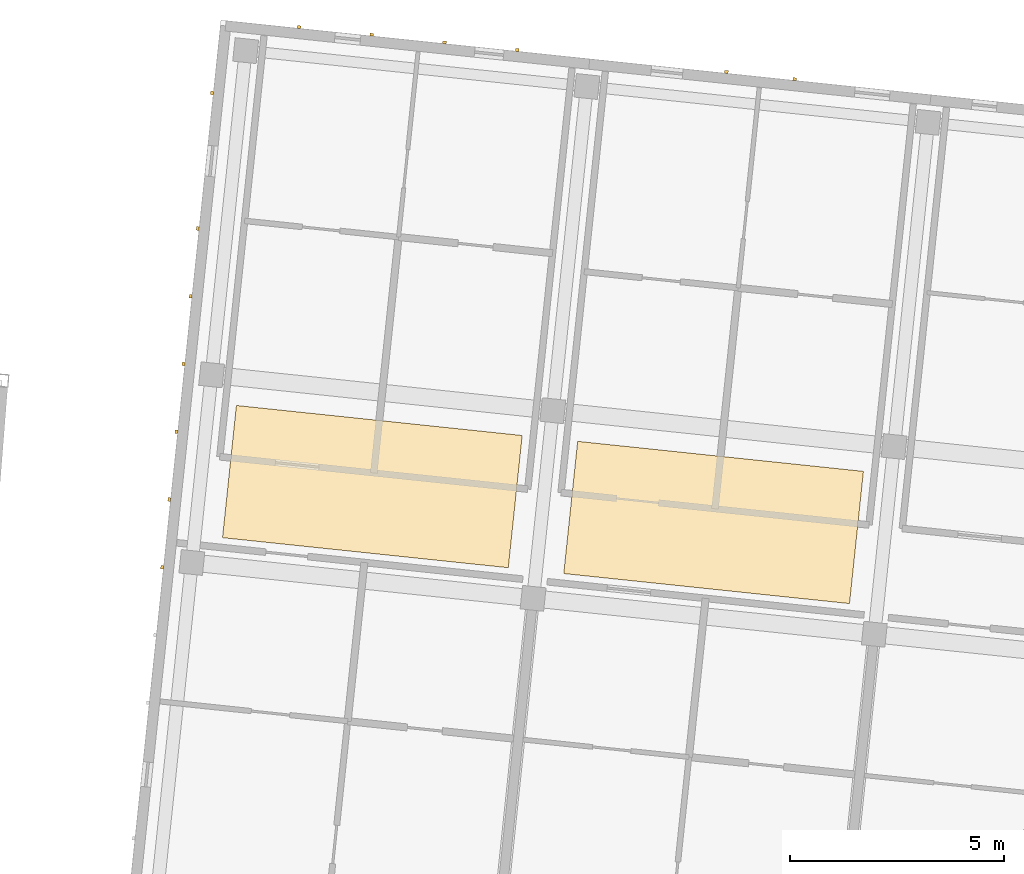
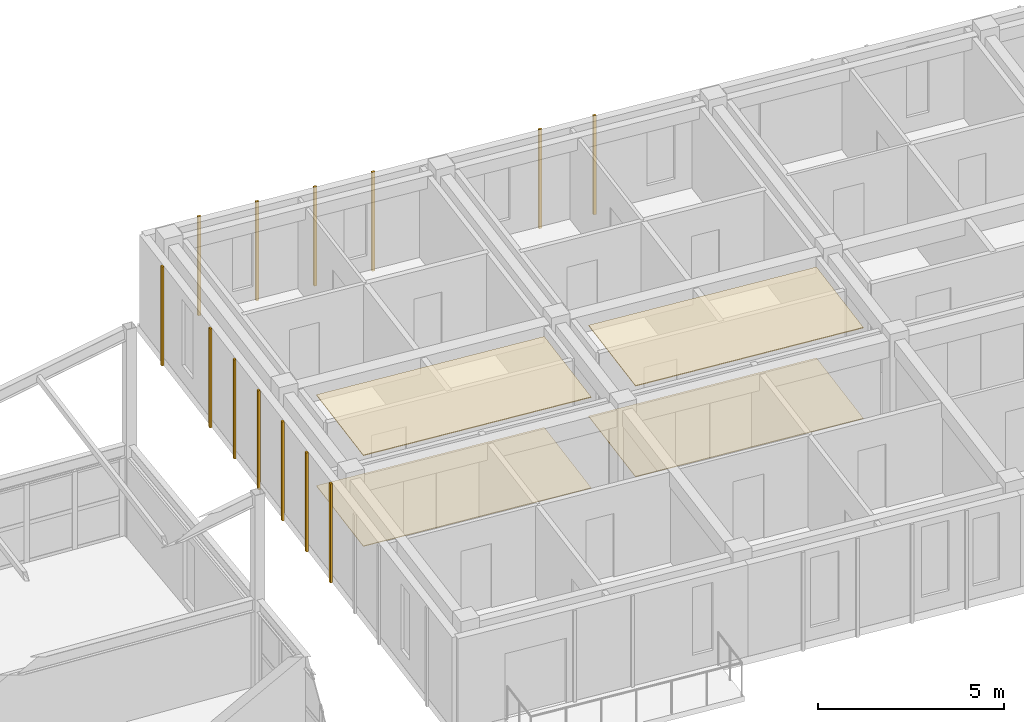
# One storey, part 117 of 127: 17 coverings.
"""IFC4 building model written with IfcOpenShell, lengths in metres."""

import ifcopenshell
import ifcopenshell.guid

model = None  # the IFC model being written
_history = None  # IfcOwnerHistory: only IFC2X3 demands one
_inside = {}  # id of a spatial element -> (the spatial element, [elements in it])
_under = {}  # id of a project, library or spatial element -> (it, [spatial elements below it])
_declared = {}  # id of a project -> (the project, [libraries it declares])
_typed = {}  # id of a type object -> (the type object, [elements of that type])
_made_of = {}  # id of a material, layer set ... -> (it, [elements and type objects made of it])


def new_model(schema):
    """Start an empty IFC model of exactly this schema.

    Asked for "IFC4X3", IfcOpenShell would pick the latest addendum, in which some entities
    have other attributes; the version numbers below select the first issue.
    IFC2X3 requires an IfcOwnerHistory on every rooted entity: one is made here for all.
    """
    global model, _history
    if schema == "IFC4X3":
        model = ifcopenshell.file(schema_version=(4, 3, 0, 0))
    else:
        model = ifcopenshell.file(schema=schema)
    _inside.clear()
    _under.clear()
    _declared.clear()
    _typed.clear()
    _made_of.clear()
    _history = None
    if model.schema == "IFC2X3":
        org = make("IfcOrganization", Name="unknown")
        user = make(
            "IfcPersonAndOrganization",
            ThePerson=make("IfcPerson", FamilyName="unknown"),
            TheOrganization=org,
        )
        app = make(
            "IfcApplication",
            ApplicationDeveloper=org,
            Version="unknown",
            ApplicationFullName="unknown",
            ApplicationIdentifier="unknown",
        )
        _history = make(
            "IfcOwnerHistory",
            OwningUser=user,
            OwningApplication=app,
            ChangeAction="ADDED",
            CreationDate=0,
        )
    return model


def make(cls, **values):
    """One entity of the class cls with the attributes given. An attribute that is None is left unset."""
    return model.create_entity(
        cls, **{name: value for name, value in values.items() if value is not None}
    )


def rooted(cls, **values):
    """An entity with a GlobalId (a new one), such as an element, a storey or a relation."""
    return make(cls, GlobalId=ifcopenshell.guid.new(), OwnerHistory=_history, **values)


def si_unit(unit_type, name, prefix=None):
    """IfcSIUnit, for example si_unit("LENGTHUNIT", "METRE", prefix="MILLI")."""
    return make("IfcSIUnit", UnitType=unit_type, Prefix=prefix, Name=name)


def assignment(units):
    """IfcUnitAssignment: the units of a project."""
    return None if units is None else make("IfcUnitAssignment", Units=units)


def point(xyz):
    """IfcCartesianPoint."""
    return None if xyz is None else make("IfcCartesianPoint", Coordinates=xyz)


def direction(xyz):
    """IfcDirection."""
    return None if xyz is None else make("IfcDirection", DirectionRatios=xyz)


def frame(location, z_axis=None, x_axis=None):
    """IfcAxis2Placement3D, a coordinate frame: its origin and axes. An axis left out is left unset."""
    return make(
        "IfcAxis2Placement3D",
        Location=point(location),
        Axis=direction(z_axis),
        RefDirection=direction(x_axis),
    )


def frame_2d(location, x_axis=None):
    """IfcAxis2Placement2D, a coordinate frame in the plane: its origin and x axis."""
    return make(
        "IfcAxis2Placement2D", Location=point(location), RefDirection=direction(x_axis)
    )


def origin():
    """The frame at (0, 0, 0) with its axes left unset."""
    return frame((0.0, 0.0, 0.0))


def origin_2d():
    """The frame at (0, 0) in the plane with its x axis left unset."""
    return frame_2d((0.0, 0.0))


def place(relative_to, where):
    """IfcLocalPlacement: puts the frame where relative to a parent placement (None: the world)."""
    return make(
        "IfcLocalPlacement", PlacementRelTo=relative_to, RelativePlacement=where
    )


def context(
    kind, dimensions, precision=None, world=None, true_north=None, identifier=None
):
    """IfcGeometricRepresentationContext, for example the 3D "Model" context."""
    return make(
        "IfcGeometricRepresentationContext",
        ContextIdentifier=identifier,
        ContextType=kind,
        CoordinateSpaceDimension=dimensions,
        Precision=precision,
        WorldCoordinateSystem=world,
        TrueNorth=true_north,
    )


def subcontext(parent, identifier, kind, view, scale=None):
    """IfcGeometricRepresentationSubContext, for example "Body" below "Model"."""
    return make(
        "IfcGeometricRepresentationSubContext",
        ContextIdentifier=identifier,
        ContextType=kind,
        ParentContext=parent,
        TargetScale=scale,
        TargetView=view,
    )


def project(units=None, contexts=None):
    """IfcProject with its units and contexts."""
    return rooted(
        "IfcProject",
        Name="project",
        RepresentationContexts=contexts,
        UnitsInContext=assignment(units),
    )


def spatial(cls, under=None, at=None, **own):
    """A site, building, storey or space (cls), placed at a placement, below another one or the project."""
    s = rooted(cls, ObjectPlacement=at, **own)
    if under is not None:
        _under.setdefault(under.id(), (under, []))[1].append(s)
    return s


def polyline(points):
    """IfcPolyline through the points."""
    return make("IfcPolyline", Points=[point(p) for p in points])


def profile(cls, at=None, kind="AREA", **sizes):
    """A parametric profile (cls). Its sizes go by their IFC names, for example OverallWidth=200.0."""
    return make(cls, ProfileType=kind, Position=at, **sizes)


def rectangle(**sizes):
    """IfcRectangleProfileDef."""
    return profile("IfcRectangleProfileDef", **sizes)


def outline(outer, holes=None, kind="AREA"):
    """IfcArbitraryClosedProfileDef: a profile drawn as a closed curve; with holes, ...WithVoids."""
    if holes is None:
        return make("IfcArbitraryClosedProfileDef", ProfileType=kind, OuterCurve=outer)
    return make(
        "IfcArbitraryProfileDefWithVoids",
        ProfileType=kind,
        OuterCurve=outer,
        InnerCurves=holes,
    )


def extrude(swept, where, along, depth):
    """IfcExtrudedAreaSolid: the profile swept, set in the frame where, extruded along a direction by depth."""
    return make(
        "IfcExtrudedAreaSolid",
        SweptArea=swept,
        Position=where,
        ExtrudedDirection=direction(along),
        Depth=depth,
    )


def shape(context_of_items, identifier, shape_type, items):
    """IfcShapeRepresentation: the items that make up one representation, for example the "Body"."""
    return make(
        "IfcShapeRepresentation",
        ContextOfItems=context_of_items,
        RepresentationIdentifier=identifier,
        RepresentationType=shape_type,
        Items=items,
    )


def material(Name=None, Category=None):
    """IfcMaterial."""
    return make("IfcMaterial", Name=Name, Category=Category)


def layer(
    of_material, thickness, ventilated=None, Name=None, Category=None, Priority=None
):
    """IfcMaterialLayer: one layer of a wall or slab, of a material (None: an air gap)."""
    return make(
        "IfcMaterialLayer",
        Material=of_material,
        LayerThickness=thickness,
        IsVentilated=ventilated,
        Name=Name,
        Category=Category,
        Priority=Priority,
    )


def layer_set(layers, Name=None):
    """IfcMaterialLayerSet."""
    return make("IfcMaterialLayerSet", MaterialLayers=layers, LayerSetName=Name)


def made_of(thing, what):
    """Note that an element or type object is made of a material, layer set ...; save() writes the relation."""
    if what is not None:
        _made_of.setdefault(what.id(), (what, []))[1].append(thing)
    return thing


def type_object(cls, material=None, **own):
    """A type object (cls), such as IfcWallType, which elements share."""
    return made_of(rooted(cls, **own), material)


def element(
    cls,
    number,
    at=None,
    inside=None,
    cuts=None,
    type_object=None,
    material=None,
    context=None,
    identifier="Body",
    shape_type=None,
    held_by="IfcProductDefinitionShape",
    body=None,
    shapes=None,
    **own,
):
    """One element of the class cls, such as IfcWall. Its Tag is "e" and its number.

    at: its placement. inside: the storey or other place that contains it. cuts: it is an
    opening in that element (IfcRelVoidsElement). A single representation is given by context,
    identifier, shape_type and body (its items); several are given by shapes. held_by: the class
    of the entity that holds the representations. save() writes the other relations.
    """
    e = rooted(cls, Tag="e%d" % number, ObjectPlacement=at, **own)
    if body is not None:
        shapes = [shape(context, identifier, shape_type, body)]
    if shapes is not None:
        e.Representation = make(held_by, Representations=shapes)
    if inside is not None:
        _inside.setdefault(inside.id(), (inside, []))[1].append(e)
    if cuts is not None:
        rooted(
            "IfcRelVoidsElement", RelatingBuildingElement=cuts, RelatedOpeningElement=e
        )
    if type_object is not None:
        _typed.setdefault(type_object.id(), (type_object, []))[1].append(e)
    return made_of(e, material)


def aggregate(whole, parts):
    """IfcRelAggregates: a whole, such as a stair, and the parts it consists of."""
    return rooted("IfcRelAggregates", RelatingObject=whole, RelatedObjects=parts)


def save(model, path):
    """Write the relations noted so far, then the file.

    IfcRelAggregates (storeys below a building ...), IfcRelContainedInSpatialStructure (elements
    in a storey), IfcRelDefinesByType, IfcRelAssociatesMaterial and IfcRelDeclares: one each for
    every whole, place, type object, material and project.
    """
    for whole, parts in _under.values():
        aggregate(whole, parts)
    for where, things in _inside.values():
        rooted(
            "IfcRelContainedInSpatialStructure",
            RelatedElements=things,
            RelatingStructure=where,
        )
    for kind, things in _typed.values():
        rooted("IfcRelDefinesByType", RelatedObjects=things, RelatingType=kind)
    for what, things in _made_of.values():
        rooted("IfcRelAssociatesMaterial", RelatedObjects=things, RelatingMaterial=what)
    for by, libraries in _declared.values():
        rooted("IfcRelDeclares", RelatingContext=by, RelatedDefinitions=libraries)
    model.write(path)


model = new_model("IFC4")

# Units and contexts
model_context = context("Model", 3, precision=1e-05, world=origin(), true_north=direction((0.0, 1.0)))
body_context = subcontext(model_context, "Body", "Model", "MODEL_VIEW")
ifc_project = project(units=[si_unit("LENGTHUNIT", "METRE"), si_unit("AREAUNIT", "SQUARE_METRE"), si_unit("VOLUMEUNIT", "CUBIC_METRE"), si_unit("PLANEANGLEUNIT", "RADIAN"), si_unit("MASSUNIT", "GRAM", prefix="KILO")], contexts=[model_context])

# Site, building, storey
site_placement = place(None, origin())
site = spatial("IfcSite", under=ifc_project, at=site_placement, CompositionType="ELEMENT")
building_placement = place(site_placement, origin())
building = spatial("IfcBuilding", under=site, at=building_placement, Name="Kestramere Prow Commons", CompositionType="ELEMENT")
storey_placement = place(building_placement, frame((0.0, 0.0, 8.39990234375)))
storey = spatial("IfcBuildingStorey", under=building, at=storey_placement, Name="L02", CompositionType="ELEMENT", Elevation=8.39990234375)

# Coverings
ifc_material_1 = material(Name="Mineral Fibre Acoustic Ceiling Tile")
ifc_layer_1 = layer(ifc_material_1, 0.02490234375)
ifc_layer_set_1 = layer_set([ifc_layer_1], Name="Mineral Fibre Acoustic Ceiling Tile")
covering_type_1 = type_object("IfcCoveringType", Name="COV-CEIL-ACOUSTIC", PredefinedType="CEILING", material=ifc_layer_set_1)
covering_1_placement = place(storey_placement, frame((0.0, 0.0, 2.97509765625)))
element("IfcCovering", 1, at=covering_1_placement, inside=storey, type_object=covering_type_1, Name="Block B L02 Corridor Acoustic Ceiling 1", PredefinedType="CEILING", context=body_context, shape_type="SweptSolid", body=[
    extrude(outline(polyline([(111.5087890625, 102.936767578125), (118.172119140625, 102.236572265625), (118.49609375, 105.319580078125), (111.832763671875, 106.019775390625), (111.5087890625, 102.936767578125)])), origin(), (0.0, 0.0, 1.0), 0.02490234375),
])
covering_2_placement = place(storey_placement, frame((0.0, 0.0, 2.97509765625)))
element("IfcCovering", 2, at=covering_2_placement, inside=storey, type_object=covering_type_1, Name="Block B L02 Corridor Acoustic Ceiling 2", PredefinedType="CEILING", context=body_context, shape_type="SweptSolid", body=[
    extrude(outline(polyline([(119.465087890625, 102.1005859375), (126.128173828125, 101.400390625), (126.452392578125, 104.4833984375), (119.7890625, 105.18359375), (119.465087890625, 102.1005859375)])), origin(), (0.0, 0.0, 1.0), 0.02490234375),
])
ifc_material_2 = material(Name="Weathered Zinc-Titanium Standing-Seam Cladding")
ifc_layer_2 = layer(ifc_material_2, 0.074951171875)
ifc_layer_set_2 = layer_set([ifc_layer_2], Name="Weathered Zinc-Titanium Standing-Seam Cladding")
covering_type_2 = type_object("IfcCoveringType", Name="COV-CLAD-SEAM", PredefinedType="CLADDING", material=ifc_layer_set_2)
for number, where, z_axis, x_axis, name in (
    (3, (113.293212890625, 114.843017578125, -0.25), (0.0, 0.0, 1.0), (0.994521895368, -0.104528463268, 0.0), "EW-B-L02-N-0 Standing-Seam Rib 1"),
    (4, (114.98876953125, 114.664794921875, -0.25), (0.0, 0.0, 1.0), (0.994521895368, -0.104528463268, 0.0), "EW-B-L02-N-0 Standing-Seam Rib 2"),
    (5, (116.684326171875, 114.486572265625, -0.25), (0.0, 0.0, 1.0), (0.994521895368, -0.104528463268, 0.0), "EW-B-L02-N-0 Standing-Seam Rib 3"),
    (6, (118.380126953125, 114.308349609375, -0.25), (0.0, 0.0, 1.0), (0.994521895368, -0.104528463268, 0.0), "EW-B-L02-N-0 Standing-Seam Rib 4"),
    (7, (123.25830078125, 113.795654296875, -0.25), (0.0, 0.0, 1.0), (0.994521895368, -0.104528463268, 0.0), "EW-B-L02-N-1 Standing-Seam Rib 2"),
    (8, (124.849365234375, 113.62841796875, -0.25), (0.0, 0.0, 1.0), (0.994521895368, -0.104528463268, 0.0), "EW-B-L02-N-1 Standing-Seam Rib 3"),
    (9, (110.1015625, 102.24755859375, -0.25), (0.0, 0.0, 1.0), (0.104528463268, 0.994521895368, 0.0), "EW-B-L02-EAV Standing-Seam Rib 5"),
    (10, (110.267578125, 103.8271484375, -0.25), (0.0, 0.0, 1.0), (0.104528463268, 0.994521895368, 0.0), "EW-B-L02-EAV Standing-Seam Rib 6"),
    (11, (110.43359375, 105.406982421875, -0.25), (0.0, 0.0, 1.0), (0.104528463268, 0.994521895368, 0.0), "EW-B-L02-EAV Standing-Seam Rib 7"),
    (12, (110.599609375, 106.98681640625, -0.25), (0.0, 0.0, 1.0), (0.104528463268, 0.994521895368, 0.0), "EW-B-L02-EAV Standing-Seam Rib 8"),
    (13, (110.765625, 108.566650390625, -0.25), (0.0, 0.0, 1.0), (0.104528463268, 0.994521895368, 0.0), "EW-B-L02-EAV Standing-Seam Rib 9"),
    (14, (110.931640625, 110.146240234375, -0.25), (0.0, 0.0, 1.0), (0.104528463268, 0.994521895368, 0.0), "EW-B-L02-EAV Standing-Seam Rib 10"),
    (15, (111.263916015625, 113.305908203125, -0.25), (0.0, 0.0, 1.0), (0.104528463268, 0.994521895368, 0.0), "EW-B-L02-EAV Standing-Seam Rib 12"),
):
    element("IfcCovering", number, at=place(storey_placement, frame(where, z_axis=z_axis, x_axis=x_axis)), inside=storey, type_object=covering_type_2, Name=name, PredefinedType="CLADDING", context=body_context, shape_type="SweptSolid", body=[
        extrude(rectangle(XDim=0.0849609375, YDim=0.06494140625, at=origin_2d()), origin(), (0.0, 0.0, 1.0), 3.25),
    ])
ifc_material_3 = material(Name="Honed Cementitious Terrazzo Tile")
ifc_layer_3 = layer(ifc_material_3, 0.02001953125)
ifc_layer_set_3 = layer_set([ifc_layer_3], Name="Honed Cementitious Terrazzo Tile")
covering_type_3 = type_object("IfcCoveringType", Name="COV-FLOOR-TERRAZZO", PredefinedType="FLOORING", material=ifc_layer_set_3)
covering_3_placement = place(storey_placement, origin())
element("IfcCovering", 16, at=covering_3_placement, inside=storey, type_object=covering_type_3, Name="Block B L02 Corridor Terrazzo Flooring 1", PredefinedType="FLOORING", context=body_context, shape_type="SweptSolid", body=[
    extrude(outline(polyline([(111.5087890625, 102.936767578125), (118.172119140625, 102.236572265625), (118.49609375, 105.319580078125), (111.832763671875, 106.019775390625), (111.5087890625, 102.936767578125)])), origin(), (0.0, 0.0, 1.0), 0.02001953125),
])
covering_4_placement = place(storey_placement, origin())
element("IfcCovering", 17, at=covering_4_placement, inside=storey, type_object=covering_type_3, Name="Block B L02 Corridor Terrazzo Flooring 2", PredefinedType="FLOORING", context=body_context, shape_type="SweptSolid", body=[
    extrude(outline(polyline([(119.465087890625, 102.1005859375), (126.128173828125, 101.400390625), (126.452392578125, 104.4833984375), (119.7890625, 105.18359375), (119.465087890625, 102.1005859375)])), origin(), (0.0, 0.0, 1.0), 0.02001953125),
])

save(model, "model.ifc")
